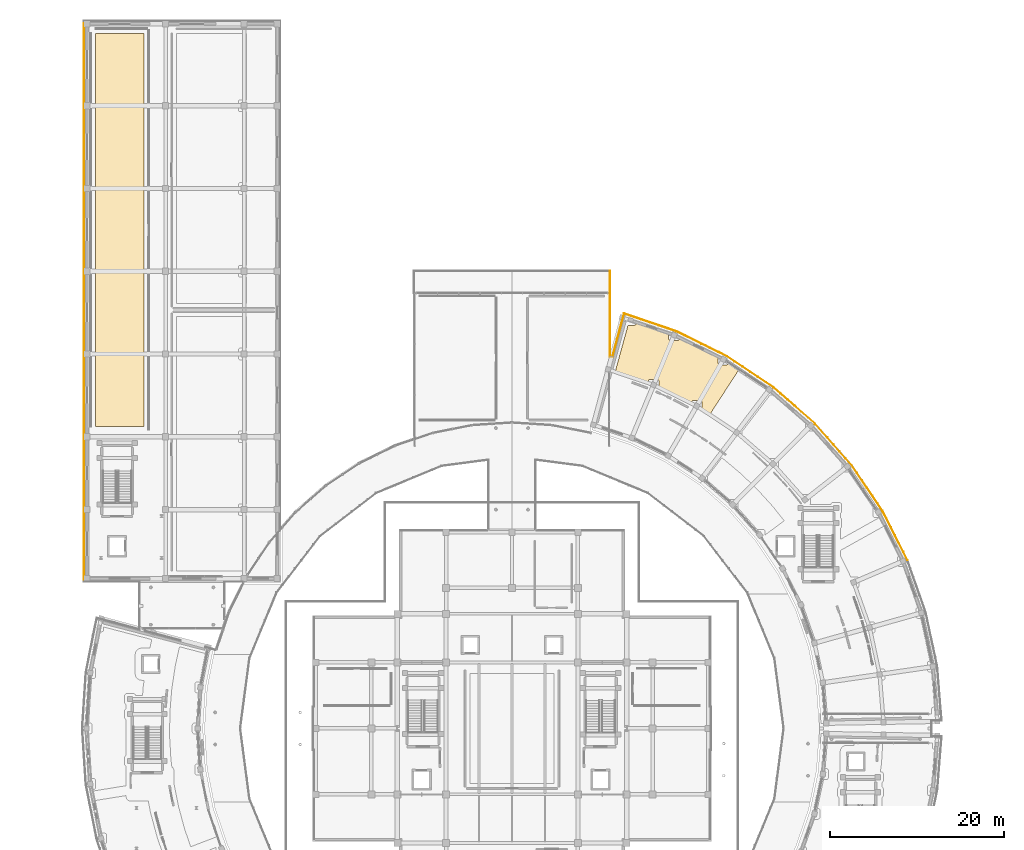
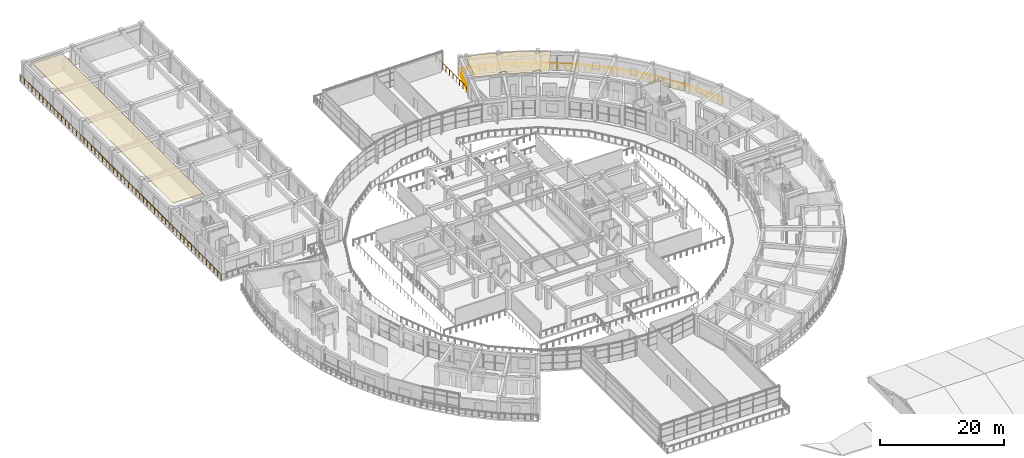
# One storey, part 82 of 83: 10 railings, 2 coverings.
"""IFC4 building model written with IfcOpenShell, lengths in metres."""

from ifc_helpers import new_model, si_unit, direction, frame, origin, origin_2d, place, context, subcontext, project, spatial, polyline, rectangle, outline, extrude, material, layer, layer_set, type_object, element, save


model = new_model("IFC4")

# Units and contexts
model_context = context("Model", 3, precision=1e-05, world=origin(), true_north=direction((0.0, 1.0)))
body_context = subcontext(model_context, "Body", "Model", "MODEL_VIEW")
ifc_project = project(units=[si_unit("LENGTHUNIT", "METRE"), si_unit("AREAUNIT", "SQUARE_METRE"), si_unit("VOLUMEUNIT", "CUBIC_METRE"), si_unit("PLANEANGLEUNIT", "RADIAN"), si_unit("MASSUNIT", "GRAM", prefix="KILO")], contexts=[model_context])

# Site, building, storey
site_placement = place(None, origin())
site = spatial("IfcSite", under=ifc_project, at=site_placement, CompositionType="ELEMENT")
building_placement = place(site_placement, origin())
building = spatial("IfcBuilding", under=site, at=building_placement, Name="Saryqyr Civic Hall", CompositionType="ELEMENT")
storey_placement = place(building_placement, frame((0.0, 0.0, 9.14990234375)))
storey = spatial("IfcBuildingStorey", under=building, at=storey_placement, Name="L02", CompositionType="ELEMENT", Elevation=9.14990234375)

# Coverings
ifc_material_1 = material(Name="Mineral-fibre acoustic ceiling tile", Category="acoustic_tile")
ifc_layer_1 = layer(ifc_material_1, 0.06005859375, Name="Mineral-fibre acoustic ceiling tile")
ifc_layer_set_1 = layer_set([ifc_layer_1], Name="Mineral-fibre acoustic ceiling tile")
covering_type = type_object("IfcCoveringType", Name="INT-COV-CEIL-60", PredefinedType="CEILING", material=ifc_layer_set_1)
covering_1_placement = place(storey_placement, frame((0.0, 0.0, 3.72998046875)))
element("IfcCovering", 1, at=covering_1_placement, inside=storey, type_object=covering_type, Name="Acoustic ceiling Staff & Accessible MGN WC L02-N", PredefinedType="CEILING", context=body_context, shape_type="SweptSolid", body=[
    extrude(outline(polyline([(78.898681640625, 120.693359375), (78.902099609375, 120.707763671875), (78.90576171875, 120.732177734375), (78.906982421875, 120.756591796875), (78.906982421875, 121.5166015625), (78.90576171875, 121.541015625), (78.902099609375, 121.5654296875), (78.896240234375, 121.589111328125), (78.887939453125, 121.6123046875), (78.87744140625, 121.634521484375), (78.864990234375, 121.655517578125), (78.850341796875, 121.67529296875), (78.833740234375, 121.693359375), (78.815673828125, 121.7099609375), (78.7958984375, 121.724609375), (78.77490234375, 121.737060546875), (78.752685546875, 121.74755859375), (78.7294921875, 121.755859375), (78.705810546875, 121.76171875), (78.681396484375, 121.765380859375), (78.656982421875, 121.7666015625), (77.89697265625, 121.7666015625), (77.87255859375, 121.765380859375), (77.84814453125, 121.76171875), (77.824462890625, 121.755859375), (77.80126953125, 121.74755859375), (77.779296875, 121.737060546875), (77.758056640625, 121.724609375), (77.73828125, 121.7099609375), (77.72021484375, 121.693359375), (77.70361328125, 121.67529296875), (77.689208984375, 121.655517578125), (77.676513671875, 121.634521484375), (77.666015625, 121.6123046875), (77.65771484375, 121.589111328125), (77.65185546875, 121.5654296875), (77.648193359375, 121.541015625), (77.64697265625, 121.5166015625), (77.64697265625, 121.421142578125), (75.720458984375, 122.432861328125), (75.690185546875, 122.447509765625), (73.943359375, 123.232421875), (73.943359375, 123.94921875), (73.942138671875, 123.9736328125), (73.9384765625, 123.997802734375), (73.9326171875, 124.021728515625), (73.92431640625, 124.044921875), (73.913818359375, 124.06689453125), (73.901123046875, 124.087890625), (73.88671875, 124.107666015625), (73.8701171875, 124.1259765625), (73.851806640625, 124.142333984375), (73.832275390625, 124.156982421875), (73.81103515625, 124.169677734375), (73.7890625, 124.18017578125), (73.765869140625, 124.188232421875), (73.7421875, 124.1943359375), (73.7177734375, 124.197998046875), (73.693359375, 124.19921875), (72.933349609375, 124.19921875), (72.90869140625, 124.197998046875), (72.884521484375, 124.1943359375), (72.860595703125, 124.188232421875), (72.837646484375, 124.18017578125), (72.8154296875, 124.169677734375), (72.79443359375, 124.156982421875), (72.774658203125, 124.142333984375), (72.756591796875, 124.1259765625), (72.739990234375, 124.107666015625), (72.725341796875, 124.087890625), (72.712890625, 124.06689453125), (72.702392578125, 124.044921875), (72.694091796875, 124.021728515625), (72.68798828125, 123.997802734375), (72.6845703125, 123.9736328125), (72.683349609375, 123.94921875), (72.683349609375, 123.753173828125), (70.874755859375, 124.435546875), (70.8427734375, 124.446533203125), (68.87841796875, 125.052978515625), (70.35791015625, 130.42431640625), (71.050537109375, 130.42431640625), (71.0751953125, 130.425537109375), (71.099365234375, 130.42919921875), (71.123291015625, 130.435302734375), (71.146240234375, 130.443359375), (71.16845703125, 130.453857421875), (71.189453125, 130.466552734375), (71.209228515625, 130.481201171875), (71.227294921875, 130.49755859375), (71.243896484375, 130.515869140625), (71.258544921875, 130.535400390625), (71.27099609375, 130.556640625), (71.281494140625, 130.57861328125), (71.289794921875, 130.601806640625), (71.2958984375, 130.62548828125), (71.29931640625, 130.64990234375), (71.300537109375, 130.67431640625), (71.300537109375, 130.73388671875), (74.6953125, 129.595703125), (75.04638671875, 129.462890625), (75.04638671875, 128.921142578125), (75.047607421875, 128.896484375), (75.05126953125, 128.872314453125), (75.05712890625, 128.848388671875), (75.0654296875, 128.825439453125), (75.075927734375, 128.80322265625), (75.08837890625, 128.7822265625), (75.10302734375, 128.762451171875), (75.11962890625, 128.744384765625), (75.1376953125, 128.727783203125), (75.157470703125, 128.713134765625), (75.1787109375, 128.70068359375), (75.20068359375, 128.690185546875), (75.223876953125, 128.681884765625), (75.24755859375, 128.67578125), (75.27197265625, 128.67236328125), (75.29638671875, 128.671142578125), (76.056396484375, 128.671142578125), (76.080810546875, 128.67236328125), (76.105224609375, 128.67578125), (76.12890625, 128.681884765625), (76.152099609375, 128.690185546875), (76.17431640625, 128.70068359375), (76.1953125, 128.713134765625), (76.215087890625, 128.727783203125), (76.233154296875, 128.744384765625), (76.249755859375, 128.762451171875), (76.264404296875, 128.7822265625), (76.27685546875, 128.80322265625), (76.287353515625, 128.825439453125), (76.295654296875, 128.848388671875), (76.301513671875, 128.872314453125), (76.30517578125, 128.896484375), (76.306396484375, 128.921142578125), (76.306396484375, 128.94189453125), (76.75341796875, 128.7412109375), (80.682861328125, 126.80322265625), (80.72900390625, 126.779052734375), (80.72900390625, 126.13623046875), (80.730224609375, 126.11181640625), (80.73388671875, 126.08740234375), (80.739990234375, 126.063720703125), (80.748046875, 126.04052734375), (80.758544921875, 126.0185546875), (80.771240234375, 125.997314453125), (80.785888671875, 125.977783203125), (80.80224609375, 125.95947265625), (80.820556640625, 125.943115234375), (80.840087890625, 125.928466796875), (80.861328125, 125.915771484375), (80.88330078125, 125.9052734375), (80.906494140625, 125.897216796875), (80.930419921875, 125.89111328125), (80.95458984375, 125.887451171875), (80.97900390625, 125.88623046875), (81.739013671875, 125.88623046875), (81.763671875, 125.887451171875), (81.787841796875, 125.89111328125), (81.811767578125, 125.897216796875), (81.834716796875, 125.9052734375), (81.85693359375, 125.915771484375), (81.8779296875, 125.928466796875), (81.897705078125, 125.943115234375), (81.916015625, 125.95947265625), (81.932373046875, 125.977783203125), (81.947021484375, 125.997314453125), (81.959716796875, 126.0185546875), (81.97021484375, 126.04052734375), (81.97412109375, 126.0517578125), (82.442138671875, 125.76806640625), (83.127197265625, 125.310302734375), (79.783203125, 120.156982421875), (78.898681640625, 120.693359375)])), origin(), (0.0, 0.0, 1.0), 0.06005859375),
])
covering_2_placement = place(storey_placement, frame((0.0, 0.0, 3.72998046875)))
element("IfcCovering", 2, at=covering_2_placement, inside=storey, type_object=covering_type, Name="Acoustic ceiling Quiet Study Suites & Accessible MGN WC L02", PredefinedType="CEILING", context=body_context, shape_type="SweptSolid", body=[
    extrude(outline(polyline([(9.050048828125, 118.75), (9.050048828125, 164.050048828125), (14.6298828125, 164.050048828125), (14.6298828125, 118.75), (9.050048828125, 118.75)])), origin(), (0.0, 0.0, 1.0), 0.06005859375),
])

# Railings
ifc_material_2 = material(Name="Warm brushed brass and laminated glass", Category="glass")
ifc_layer_2 = layer(ifc_material_2, 0.06005859375, Name="Warm brushed brass and laminated glass")
ifc_layer_set_2 = layer_set([ifc_layer_2], Name="Warm brushed brass and laminated glass")
railing_type = type_object("IfcRailingType", Name="INT-RLG-BAL-1100", PredefinedType="BALUSTRADE", material=ifc_layer_set_2)
railing_1_placement = place(storey_placement, frame((7.699951171875, 100.89990234375, 0.0)))
element("IfcRailing", 3, at=railing_1_placement, inside=storey, type_object=railing_type, Name="Interior deck safety balustrade L02-016", PredefinedType="BALUSTRADE", context=body_context, shape_type="SweptSolid", body=[
    extrude(rectangle(XDim=0.048095703125, YDim=0.048095703125, at=origin_2d()), frame((0.0, 0.0, 1.09619140625), z_axis=(0.0, 1.0, 0.0), x_axis=(-1.0, 0.0, 0.0)), (0.0, 0.0, 1.0), 64.60009765625),
    extrude(rectangle(XDim=0.0419921875, YDim=0.0419921875, at=origin_2d()), origin(), (0.0, 0.0, 1.0), 1.072021484375),
    extrude(rectangle(XDim=0.0419921875, YDim=0.0419921875, at=origin_2d()), frame((0.0, 1.1962890625, 0.0)), (0.0, 0.0, 1.0), 1.072021484375),
    extrude(rectangle(XDim=0.0419921875, YDim=0.0419921875, at=origin_2d()), frame((0.0, 2.392578125, 0.0)), (0.0, 0.0, 1.0), 1.072021484375),
    extrude(rectangle(XDim=0.0419921875, YDim=0.0419921875, at=origin_2d()), frame((0.0, 3.5888671875, 0.0)), (0.0, 0.0, 1.0), 1.072021484375),
    extrude(rectangle(XDim=0.0419921875, YDim=0.0419921875, at=origin_2d()), frame((0.0, 4.78515625, 0.0)), (0.0, 0.0, 1.0), 1.072021484375),
    extrude(rectangle(XDim=0.0419921875, YDim=0.0419921875, at=origin_2d()), frame((0.0, 5.9814453125, 0.0)), (0.0, 0.0, 1.0), 1.072021484375),
    extrude(rectangle(XDim=0.0419921875, YDim=0.0419921875, at=origin_2d()), frame((0.0, 7.177734375, 0.0)), (0.0, 0.0, 1.0), 1.072021484375),
    extrude(rectangle(XDim=0.0419921875, YDim=0.0419921875, at=origin_2d()), frame((0.0, 8.3740234375, 0.0)), (0.0, 0.0, 1.0), 1.072021484375),
    extrude(rectangle(XDim=0.0419921875, YDim=0.0419921875, at=origin_2d()), frame((0.0, 9.5703125, 0.0)), (0.0, 0.0, 1.0), 1.072021484375),
    extrude(rectangle(XDim=0.0419921875, YDim=0.0419921875, at=origin_2d()), frame((0.0, 10.7666015625, 0.0)), (0.0, 0.0, 1.0), 1.072021484375),
    extrude(rectangle(XDim=0.0419921875, YDim=0.0419921875, at=origin_2d()), frame((0.0, 11.962890625, 0.0)), (0.0, 0.0, 1.0), 1.072021484375),
    extrude(rectangle(XDim=0.0419921875, YDim=0.0419921875, at=origin_2d()), frame((0.0, 13.1591796875, 0.0)), (0.0, 0.0, 1.0), 1.072021484375),
    extrude(rectangle(XDim=0.0419921875, YDim=0.0419921875, at=origin_2d()), frame((0.0, 14.35546875, 0.0)), (0.0, 0.0, 1.0), 1.072021484375),
    extrude(rectangle(XDim=0.0419921875, YDim=0.0419921875, at=origin_2d()), frame((0.0, 15.5517578125, 0.0)), (0.0, 0.0, 1.0), 1.072021484375),
    extrude(rectangle(XDim=0.0419921875, YDim=0.0419921875, at=origin_2d()), frame((0.0, 16.748291015625, 0.0)), (0.0, 0.0, 1.0), 1.072021484375),
    extrude(rectangle(XDim=0.0419921875, YDim=0.0419921875, at=origin_2d()), frame((0.0, 17.944580078125, 0.0)), (0.0, 0.0, 1.0), 1.072021484375),
    extrude(rectangle(XDim=0.0419921875, YDim=0.0419921875, at=origin_2d()), frame((0.0, 19.140869140625, 0.0)), (0.0, 0.0, 1.0), 1.072021484375),
    extrude(rectangle(XDim=0.0419921875, YDim=0.0419921875, at=origin_2d()), frame((0.0, 20.337158203125, 0.0)), (0.0, 0.0, 1.0), 1.072021484375),
    extrude(rectangle(XDim=0.0419921875, YDim=0.0419921875, at=origin_2d()), frame((0.0, 21.533447265625, 0.0)), (0.0, 0.0, 1.0), 1.072021484375),
    extrude(rectangle(XDim=0.0419921875, YDim=0.0419921875, at=origin_2d()), frame((0.0, 22.729736328125, 0.0)), (0.0, 0.0, 1.0), 1.072021484375),
    extrude(rectangle(XDim=0.0419921875, YDim=0.0419921875, at=origin_2d()), frame((0.0, 23.926025390625, 0.0)), (0.0, 0.0, 1.0), 1.072021484375),
    extrude(rectangle(XDim=0.0419921875, YDim=0.0419921875, at=origin_2d()), frame((0.0, 25.122314453125, 0.0)), (0.0, 0.0, 1.0), 1.072021484375),
    extrude(rectangle(XDim=0.0419921875, YDim=0.0419921875, at=origin_2d()), frame((0.0, 26.318603515625, 0.0)), (0.0, 0.0, 1.0), 1.072021484375),
    extrude(rectangle(XDim=0.0419921875, YDim=0.0419921875, at=origin_2d()), frame((0.0, 27.514892578125, 0.0)), (0.0, 0.0, 1.0), 1.072021484375),
    extrude(rectangle(XDim=0.0419921875, YDim=0.0419921875, at=origin_2d()), frame((0.0, 28.711181640625, 0.0)), (0.0, 0.0, 1.0), 1.072021484375),
    extrude(rectangle(XDim=0.0419921875, YDim=0.0419921875, at=origin_2d()), frame((0.0, 29.907470703125, 0.0)), (0.0, 0.0, 1.0), 1.072021484375),
    extrude(rectangle(XDim=0.0419921875, YDim=0.0419921875, at=origin_2d()), frame((0.0, 31.103759765625, 0.0)), (0.0, 0.0, 1.0), 1.072021484375),
    extrude(rectangle(XDim=0.0419921875, YDim=0.0419921875, at=origin_2d()), frame((0.0, 32.300048828125, 0.0)), (0.0, 0.0, 1.0), 1.072021484375),
    extrude(rectangle(XDim=0.0419921875, YDim=0.0419921875, at=origin_2d()), frame((0.0, 33.496337890625, 0.0)), (0.0, 0.0, 1.0), 1.072021484375),
    extrude(rectangle(XDim=0.0419921875, YDim=0.0419921875, at=origin_2d()), frame((0.0, 34.692626953125, 0.0)), (0.0, 0.0, 1.0), 1.072021484375),
    extrude(rectangle(XDim=0.0419921875, YDim=0.0419921875, at=origin_2d()), frame((0.0, 35.888916015625, 0.0)), (0.0, 0.0, 1.0), 1.072021484375),
    extrude(rectangle(XDim=0.0419921875, YDim=0.0419921875, at=origin_2d()), frame((0.0, 37.085205078125, 0.0)), (0.0, 0.0, 1.0), 1.072021484375),
    extrude(rectangle(XDim=0.0419921875, YDim=0.0419921875, at=origin_2d()), frame((0.0, 38.281494140625, 0.0)), (0.0, 0.0, 1.0), 1.072021484375),
    extrude(rectangle(XDim=0.0419921875, YDim=0.0419921875, at=origin_2d()), frame((0.0, 39.477783203125, 0.0)), (0.0, 0.0, 1.0), 1.072021484375),
    extrude(rectangle(XDim=0.0419921875, YDim=0.0419921875, at=origin_2d()), frame((0.0, 40.674072265625, 0.0)), (0.0, 0.0, 1.0), 1.072021484375),
    extrude(rectangle(XDim=0.0419921875, YDim=0.0419921875, at=origin_2d()), frame((0.0, 41.870361328125, 0.0)), (0.0, 0.0, 1.0), 1.072021484375),
    extrude(rectangle(XDim=0.0419921875, YDim=0.0419921875, at=origin_2d()), frame((0.0, 43.066650390625, 0.0)), (0.0, 0.0, 1.0), 1.072021484375),
    extrude(rectangle(XDim=0.0419921875, YDim=0.0419921875, at=origin_2d()), frame((0.0, 44.262939453125, 0.0)), (0.0, 0.0, 1.0), 1.072021484375),
    extrude(rectangle(XDim=0.0419921875, YDim=0.0419921875, at=origin_2d()), frame((0.0, 45.459228515625, 0.0)), (0.0, 0.0, 1.0), 1.072021484375),
    extrude(rectangle(XDim=0.0419921875, YDim=0.0419921875, at=origin_2d()), frame((0.0, 46.655517578125, 0.0)), (0.0, 0.0, 1.0), 1.072021484375),
    extrude(rectangle(XDim=0.0419921875, YDim=0.0419921875, at=origin_2d()), frame((0.0, 47.851806640625, 0.0)), (0.0, 0.0, 1.0), 1.072021484375),
    extrude(rectangle(XDim=0.0419921875, YDim=0.0419921875, at=origin_2d()), frame((0.0, 49.04833984375, 0.0)), (0.0, 0.0, 1.0), 1.072021484375),
    extrude(rectangle(XDim=0.0419921875, YDim=0.0419921875, at=origin_2d()), frame((0.0, 50.24462890625, 0.0)), (0.0, 0.0, 1.0), 1.072021484375),
    extrude(rectangle(XDim=0.0419921875, YDim=0.0419921875, at=origin_2d()), frame((0.0, 51.44091796875, 0.0)), (0.0, 0.0, 1.0), 1.072021484375),
    extrude(rectangle(XDim=0.0419921875, YDim=0.0419921875, at=origin_2d()), frame((0.0, 52.63720703125, 0.0)), (0.0, 0.0, 1.0), 1.072021484375),
    extrude(rectangle(XDim=0.0419921875, YDim=0.0419921875, at=origin_2d()), frame((0.0, 53.83349609375, 0.0)), (0.0, 0.0, 1.0), 1.072021484375),
    extrude(rectangle(XDim=0.0419921875, YDim=0.0419921875, at=origin_2d()), frame((0.0, 55.02978515625, 0.0)), (0.0, 0.0, 1.0), 1.072021484375),
    extrude(rectangle(XDim=0.0419921875, YDim=0.0419921875, at=origin_2d()), frame((0.0, 56.22607421875, 0.0)), (0.0, 0.0, 1.0), 1.072021484375),
    extrude(rectangle(XDim=0.0419921875, YDim=0.0419921875, at=origin_2d()), frame((0.0, 57.42236328125, 0.0)), (0.0, 0.0, 1.0), 1.072021484375),
    extrude(rectangle(XDim=0.0419921875, YDim=0.0419921875, at=origin_2d()), frame((0.0, 58.61865234375, 0.0)), (0.0, 0.0, 1.0), 1.072021484375),
    extrude(rectangle(XDim=0.0419921875, YDim=0.0419921875, at=origin_2d()), frame((0.0, 59.81494140625, 0.0)), (0.0, 0.0, 1.0), 1.072021484375),
    extrude(rectangle(XDim=0.0419921875, YDim=0.0419921875, at=origin_2d()), frame((0.0, 61.01123046875, 0.0)), (0.0, 0.0, 1.0), 1.072021484375),
    extrude(rectangle(XDim=0.0419921875, YDim=0.0419921875, at=origin_2d()), frame((0.0, 62.20751953125, 0.0)), (0.0, 0.0, 1.0), 1.072021484375),
    extrude(rectangle(XDim=0.0419921875, YDim=0.0419921875, at=origin_2d()), frame((0.0, 63.40380859375, 0.0)), (0.0, 0.0, 1.0), 1.072021484375),
    extrude(rectangle(XDim=0.0419921875, YDim=0.0419921875, at=origin_2d()), frame((0.0, 64.60009765625, 0.0)), (0.0, 0.0, 1.0), 1.072021484375),
])
railing_2_placement = place(storey_placement, frame((68.300048828125, 136.699951171875, 0.0)))
element("IfcRailing", 4, at=railing_2_placement, inside=storey, type_object=railing_type, Name="Interior deck safety balustrade L02-021", PredefinedType="BALUSTRADE", context=body_context, shape_type="SweptSolid", body=[
    extrude(rectangle(XDim=0.048095703125, YDim=0.048095703125, at=origin_2d()), frame((0.0, 0.0, 1.09619140625), z_axis=(0.0, -1.0, 0.0), x_axis=(1.0, 0.0, 0.0)), (0.0, 0.0, 1.0), 9.85302734375),
    extrude(rectangle(XDim=0.0419921875, YDim=0.0419921875, at=origin_2d()), origin(), (0.0, 0.0, 1.0), 1.072021484375),
    extrude(rectangle(XDim=0.0419921875, YDim=0.0419921875, at=origin_2d()), frame((0.0, -1.0947265625, 0.0)), (0.0, 0.0, 1.0), 1.072021484375),
    extrude(rectangle(XDim=0.0419921875, YDim=0.0419921875, at=origin_2d()), frame((0.0, -2.189453125, 0.0)), (0.0, 0.0, 1.0), 1.072021484375),
    extrude(rectangle(XDim=0.0419921875, YDim=0.0419921875, at=origin_2d()), frame((0.0, -3.284423828125, 0.0)), (0.0, 0.0, 1.0), 1.072021484375),
    extrude(rectangle(XDim=0.0419921875, YDim=0.0419921875, at=origin_2d()), frame((0.0, -4.379150390625, 0.0)), (0.0, 0.0, 1.0), 1.072021484375),
    extrude(rectangle(XDim=0.0419921875, YDim=0.0419921875, at=origin_2d()), frame((0.0, -5.473876953125, 0.0)), (0.0, 0.0, 1.0), 1.072021484375),
    extrude(rectangle(XDim=0.0419921875, YDim=0.0419921875, at=origin_2d()), frame((0.0, -6.568603515625, 0.0)), (0.0, 0.0, 1.0), 1.072021484375),
    extrude(rectangle(XDim=0.0419921875, YDim=0.0419921875, at=origin_2d()), frame((0.0, -7.66357421875, 0.0)), (0.0, 0.0, 1.0), 1.072021484375),
    extrude(rectangle(XDim=0.0419921875, YDim=0.0419921875, at=origin_2d()), frame((0.0, -8.75830078125, 0.0)), (0.0, 0.0, 1.0), 1.072021484375),
    extrude(rectangle(XDim=0.0419921875, YDim=0.0419921875, at=origin_2d()), frame((0.0, -9.85302734375, 0.0)), (0.0, 0.0, 1.0), 1.072021484375),
])
railing_3_placement = place(storey_placement, frame((68.57470703125, 126.810791015625, 0.0)))
element("IfcRailing", 5, at=railing_3_placement, inside=storey, type_object=railing_type, Name="Interior deck safety balustrade L02-023", PredefinedType="BALUSTRADE", context=body_context, shape_type="SweptSolid", body=[
    extrude(rectangle(XDim=0.048095703125, YDim=0.048095703125, at=origin_2d()), frame((0.0, 0.0, 1.09619140625), z_axis=(0.258823044347, 0.965924754686, 0.0), x_axis=(-0.965924754686, 0.258823044347, 0.0)), (0.0, 0.0, 1.0), 5.1455078125),
    extrude(rectangle(XDim=0.0419921875, YDim=0.0419921875, at=origin_2d()), origin(), (0.0, 0.0, 1.0), 1.072021484375),
    extrude(rectangle(XDim=0.0419921875, YDim=0.0419921875, at=origin_2d()), frame((0.266357421875, 0.994140625, 0.0)), (0.0, 0.0, 1.0), 1.072021484375),
    extrude(rectangle(XDim=0.0419921875, YDim=0.0419921875, at=origin_2d()), frame((0.53271484375, 1.988037109375, 0.0)), (0.0, 0.0, 1.0), 1.072021484375),
    extrude(rectangle(XDim=0.0419921875, YDim=0.0419921875, at=origin_2d()), frame((0.799072265625, 2.982177734375, 0.0)), (0.0, 0.0, 1.0), 1.072021484375),
    extrude(rectangle(XDim=0.0419921875, YDim=0.0419921875, at=origin_2d()), frame((1.0654296875, 3.97607421875, 0.0)), (0.0, 0.0, 1.0), 1.072021484375),
    extrude(rectangle(XDim=0.0419921875, YDim=0.0419921875, at=origin_2d()), frame((1.331787109375, 4.97021484375, 0.0)), (0.0, 0.0, 1.0), 1.072021484375),
])
railing_4_placement = place(storey_placement, frame((69.906494140625, 131.781005859375, 0.0)))
element("IfcRailing", 6, at=railing_4_placement, inside=storey, type_object=railing_type, Name="Interior deck safety balustrade L02-024", PredefinedType="BALUSTRADE", context=body_context, shape_type="SweptSolid", body=[
    extrude(rectangle(XDim=0.048095703125, YDim=0.048095703125, at=origin_2d()), frame((0.0, 0.0, 1.09619140625), z_axis=(0.946914589927, -0.321485239761, 0.0), x_axis=(0.321485239761, 0.946914589927, 0.0)), (0.0, 0.0, 1.0), 6.37451171875),
    extrude(rectangle(XDim=0.0419921875, YDim=0.0419921875, at=origin_2d()), origin(), (0.0, 0.0, 1.0), 1.072021484375),
    extrude(rectangle(XDim=0.0419921875, YDim=0.0419921875, at=origin_2d()), frame((1.006103515625, -0.341552734375, 0.0)), (0.0, 0.0, 1.0), 1.072021484375),
    extrude(rectangle(XDim=0.0419921875, YDim=0.0419921875, at=origin_2d()), frame((2.011962890625, -0.68310546875, 0.0)), (0.0, 0.0, 1.0), 1.072021484375),
    extrude(rectangle(XDim=0.0419921875, YDim=0.0419921875, at=origin_2d()), frame((3.01806640625, -1.024658203125, 0.0)), (0.0, 0.0, 1.0), 1.072021484375),
    extrude(rectangle(XDim=0.0419921875, YDim=0.0419921875, at=origin_2d()), frame((4.024169921875, -1.3662109375, 0.0)), (0.0, 0.0, 1.0), 1.072021484375),
    extrude(rectangle(XDim=0.0419921875, YDim=0.0419921875, at=origin_2d()), frame((5.030029296875, -1.707763671875, 0.0)), (0.0, 0.0, 1.0), 1.072021484375),
    extrude(rectangle(XDim=0.0419921875, YDim=0.0419921875, at=origin_2d()), frame((6.0361328125, -2.04931640625, 0.0)), (0.0, 0.0, 1.0), 1.072021484375),
])
railing_5_placement = place(storey_placement, frame((75.942626953125, 129.731689453125, 0.0)))
element("IfcRailing", 7, at=railing_5_placement, inside=storey, type_object=railing_type, Name="Interior deck safety balustrade L02-025", PredefinedType="BALUSTRADE", context=body_context, shape_type="SweptSolid", body=[
    extrude(rectangle(XDim=0.048095703125, YDim=0.048095703125, at=origin_2d()), frame((0.0, 0.0, 1.09619140625), z_axis=(0.89689443152, -0.442244704557, 0.0), x_axis=(0.442244704557, 0.89689443152, 0.0)), (0.0, 0.0, 1.0), 6.47509765625),
    extrude(rectangle(XDim=0.0419921875, YDim=0.0419921875, at=origin_2d()), origin(), (0.0, 0.0, 1.0), 1.072021484375),
    extrude(rectangle(XDim=0.0419921875, YDim=0.0419921875, at=origin_2d()), frame((0.9677734375, -0.477294921875, 0.0)), (0.0, 0.0, 1.0), 1.072021484375),
    extrude(rectangle(XDim=0.0419921875, YDim=0.0419921875, at=origin_2d()), frame((1.935791015625, -0.95458984375, 0.0)), (0.0, 0.0, 1.0), 1.072021484375),
    extrude(rectangle(XDim=0.0419921875, YDim=0.0419921875, at=origin_2d()), frame((2.90380859375, -1.431640625, 0.0)), (0.0, 0.0, 1.0), 1.072021484375),
    extrude(rectangle(XDim=0.0419921875, YDim=0.0419921875, at=origin_2d()), frame((3.87158203125, -1.908935546875, 0.0)), (0.0, 0.0, 1.0), 1.072021484375),
    extrude(rectangle(XDim=0.0419921875, YDim=0.0419921875, at=origin_2d()), frame((4.83935546875, -2.38623046875, 0.0)), (0.0, 0.0, 1.0), 1.072021484375),
    extrude(rectangle(XDim=0.0419921875, YDim=0.0419921875, at=origin_2d()), frame((5.807373046875, -2.863525390625, 0.0)), (0.0, 0.0, 1.0), 1.072021484375),
])
railing_6_placement = place(storey_placement, frame((81.75, 126.8681640625, 0.0)))
element("IfcRailing", 8, at=railing_6_placement, inside=storey, type_object=railing_type, Name="Interior deck safety balustrade L02-026", PredefinedType="BALUSTRADE", context=body_context, shape_type="SweptSolid", body=[
    extrude(rectangle(XDim=0.048095703125, YDim=0.048095703125, at=origin_2d()), frame((0.0, 0.0, 1.09619140625), z_axis=(0.831452318502, -0.55559611415, 0.0), x_axis=(0.55559611415, 0.831452318502, 0.0)), (0.0, 0.0, 1.0), 6.474853515625),
    extrude(rectangle(XDim=0.0419921875, YDim=0.0419921875, at=origin_2d()), origin(), (0.0, 0.0, 1.0), 1.072021484375),
    extrude(rectangle(XDim=0.0419921875, YDim=0.0419921875, at=origin_2d()), frame((0.897216796875, -0.599609375, 0.0)), (0.0, 0.0, 1.0), 1.072021484375),
    extrude(rectangle(XDim=0.0419921875, YDim=0.0419921875, at=origin_2d()), frame((1.79443359375, -1.19921875, 0.0)), (0.0, 0.0, 1.0), 1.072021484375),
    extrude(rectangle(XDim=0.0419921875, YDim=0.0419921875, at=origin_2d()), frame((2.69189453125, -1.798828125, 0.0)), (0.0, 0.0, 1.0), 1.072021484375),
    extrude(rectangle(XDim=0.0419921875, YDim=0.0419921875, at=origin_2d()), frame((3.589111328125, -2.398193359375, 0.0)), (0.0, 0.0, 1.0), 1.072021484375),
    extrude(rectangle(XDim=0.0419921875, YDim=0.0419921875, at=origin_2d()), frame((4.486328125, -2.997802734375, 0.0)), (0.0, 0.0, 1.0), 1.072021484375),
    extrude(rectangle(XDim=0.0419921875, YDim=0.0419921875, at=origin_2d()), frame((5.383544921875, -3.597412109375, 0.0)), (0.0, 0.0, 1.0), 1.072021484375),
])
railing_7_placement = place(storey_placement, frame((87.133544921875, 123.270751953125, 0.0)))
element("IfcRailing", 9, at=railing_7_placement, inside=storey, type_object=railing_type, Name="Interior deck safety balustrade L02-027", PredefinedType="BALUSTRADE", context=body_context, shape_type="SweptSolid", body=[
    extrude(rectangle(XDim=0.048095703125, YDim=0.048095703125, at=origin_2d()), frame((0.0, 0.0, 1.09619140625), z_axis=(0.752633781672, -0.658439359915, 0.0), x_axis=(0.658439359915, 0.752633781672, 0.0)), (0.0, 0.0, 1.0), 6.35791015625),
    extrude(rectangle(XDim=0.0419921875, YDim=0.0419921875, at=origin_2d()), origin(), (0.0, 0.0, 1.0), 1.072021484375),
    extrude(rectangle(XDim=0.0419921875, YDim=0.0419921875, at=origin_2d()), frame((0.797607421875, -0.69775390625, 0.0)), (0.0, 0.0, 1.0), 1.072021484375),
    extrude(rectangle(XDim=0.0419921875, YDim=0.0419921875, at=origin_2d()), frame((1.594970703125, -1.3955078125, 0.0)), (0.0, 0.0, 1.0), 1.072021484375),
    extrude(rectangle(XDim=0.0419921875, YDim=0.0419921875, at=origin_2d()), frame((2.392578125, -2.09326171875, 0.0)), (0.0, 0.0, 1.0), 1.072021484375),
    extrude(rectangle(XDim=0.0419921875, YDim=0.0419921875, at=origin_2d()), frame((3.190185546875, -2.790771484375, 0.0)), (0.0, 0.0, 1.0), 1.072021484375),
    extrude(rectangle(XDim=0.0419921875, YDim=0.0419921875, at=origin_2d()), frame((3.987548828125, -3.488525390625, 0.0)), (0.0, 0.0, 1.0), 1.072021484375),
    extrude(rectangle(XDim=0.0419921875, YDim=0.0419921875, at=origin_2d()), frame((4.78515625, -4.186279296875, 0.0)), (0.0, 0.0, 1.0), 1.072021484375),
])
railing_8_placement = place(storey_placement, frame((91.918701171875, 119.08447265625, 0.0)))
element("IfcRailing", 10, at=railing_8_placement, inside=storey, type_object=railing_type, Name="Interior deck safety balustrade L02-028", PredefinedType="BALUSTRADE", context=body_context, shape_type="SweptSolid", body=[
    extrude(rectangle(XDim=0.048095703125, YDim=0.048095703125, at=origin_2d()), frame((0.0, 0.0, 1.09619140625), z_axis=(0.661996204778, -0.749507187997, 0.0), x_axis=(0.749507187997, 0.661996204778, 0.0)), (0.0, 0.0, 1.0), 6.35791015625),
    extrude(rectangle(XDim=0.0419921875, YDim=0.0419921875, at=origin_2d()), origin(), (0.0, 0.0, 1.0), 1.072021484375),
    extrude(rectangle(XDim=0.0419921875, YDim=0.0419921875, at=origin_2d()), frame((0.701416015625, -0.794189453125, 0.0)), (0.0, 0.0, 1.0), 1.072021484375),
    extrude(rectangle(XDim=0.0419921875, YDim=0.0419921875, at=origin_2d()), frame((1.403076171875, -1.58837890625, 0.0)), (0.0, 0.0, 1.0), 1.072021484375),
    extrude(rectangle(XDim=0.0419921875, YDim=0.0419921875, at=origin_2d()), frame((2.1044921875, -2.3828125, 0.0)), (0.0, 0.0, 1.0), 1.072021484375),
    extrude(rectangle(XDim=0.0419921875, YDim=0.0419921875, at=origin_2d()), frame((2.805908203125, -3.177001953125, 0.0)), (0.0, 0.0, 1.0), 1.072021484375),
    extrude(rectangle(XDim=0.0419921875, YDim=0.0419921875, at=origin_2d()), frame((3.507568359375, -3.97119140625, 0.0)), (0.0, 0.0, 1.0), 1.072021484375),
    extrude(rectangle(XDim=0.0419921875, YDim=0.0419921875, at=origin_2d()), frame((4.208984375, -4.765380859375, 0.0)), (0.0, 0.0, 1.0), 1.072021484375),
])
railing_9_placement = place(storey_placement, frame((96.127685546875, 114.319091796875, 0.0)))
element("IfcRailing", 11, at=railing_9_placement, inside=storey, type_object=railing_type, Name="Interior deck safety balustrade L02-029", PredefinedType="BALUSTRADE", context=body_context, shape_type="SweptSolid", body=[
    extrude(rectangle(XDim=0.048095703125, YDim=0.048095703125, at=origin_2d()), frame((0.0, 0.0, 1.09619140625), z_axis=(0.560499967333, -0.828154446115, 0.0), x_axis=(0.828154446115, 0.560499967333, 0.0)), (0.0, 0.0, 1.0), 6.357666015625),
    extrude(rectangle(XDim=0.0419921875, YDim=0.0419921875, at=origin_2d()), origin(), (0.0, 0.0, 1.0), 1.072021484375),
    extrude(rectangle(XDim=0.0419921875, YDim=0.0419921875, at=origin_2d()), frame((0.593994140625, -0.87744140625, 0.0)), (0.0, 0.0, 1.0), 1.072021484375),
    extrude(rectangle(XDim=0.0419921875, YDim=0.0419921875, at=origin_2d()), frame((1.187744140625, -1.755126953125, 0.0)), (0.0, 0.0, 1.0), 1.072021484375),
    extrude(rectangle(XDim=0.0419921875, YDim=0.0419921875, at=origin_2d()), frame((1.78173828125, -2.632568359375, 0.0)), (0.0, 0.0, 1.0), 1.072021484375),
    extrude(rectangle(XDim=0.0419921875, YDim=0.0419921875, at=origin_2d()), frame((2.375732421875, -3.510009765625, 0.0)), (0.0, 0.0, 1.0), 1.072021484375),
    extrude(rectangle(XDim=0.0419921875, YDim=0.0419921875, at=origin_2d()), frame((2.969482421875, -4.3876953125, 0.0)), (0.0, 0.0, 1.0), 1.072021484375),
    extrude(rectangle(XDim=0.0419921875, YDim=0.0419921875, at=origin_2d()), frame((3.5634765625, -5.26513671875, 0.0)), (0.0, 0.0, 1.0), 1.072021484375),
])
railing_10_placement = place(storey_placement, frame((99.691162109375, 109.053955078125, 0.0)))
element("IfcRailing", 12, at=railing_10_placement, inside=storey, type_object=railing_type, Name="Interior deck safety balustrade L02-030", PredefinedType="BALUSTRADE", context=body_context, shape_type="SweptSolid", body=[
    extrude(rectangle(XDim=0.048095703125, YDim=0.048095703125, at=origin_2d()), frame((0.0, 0.0, 1.09619140625), z_axis=(0.449700172546, -0.893179575904, 0.0), x_axis=(0.893179575904, 0.449700172546, 0.0)), (0.0, 0.0, 1.0), 6.35791015625),
    extrude(rectangle(XDim=0.0419921875, YDim=0.0419921875, at=origin_2d()), origin(), (0.0, 0.0, 1.0), 1.072021484375),
    extrude(rectangle(XDim=0.0419921875, YDim=0.0419921875, at=origin_2d()), frame((0.4765625, -0.946533203125, 0.0)), (0.0, 0.0, 1.0), 1.072021484375),
    extrude(rectangle(XDim=0.0419921875, YDim=0.0419921875, at=origin_2d()), frame((0.953125, -1.892822265625, 0.0)), (0.0, 0.0, 1.0), 1.072021484375),
    extrude(rectangle(XDim=0.0419921875, YDim=0.0419921875, at=origin_2d()), frame((1.4296875, -2.83935546875, 0.0)), (0.0, 0.0, 1.0), 1.072021484375),
    extrude(rectangle(XDim=0.0419921875, YDim=0.0419921875, at=origin_2d()), frame((1.906005859375, -3.785888671875, 0.0)), (0.0, 0.0, 1.0), 1.072021484375),
    extrude(rectangle(XDim=0.0419921875, YDim=0.0419921875, at=origin_2d()), frame((2.382568359375, -4.732177734375, 0.0)), (0.0, 0.0, 1.0), 1.072021484375),
    extrude(rectangle(XDim=0.0419921875, YDim=0.0419921875, at=origin_2d()), frame((2.859130859375, -5.6787109375, 0.0)), (0.0, 0.0, 1.0), 1.072021484375),
])

save(model, "model.ifc")
